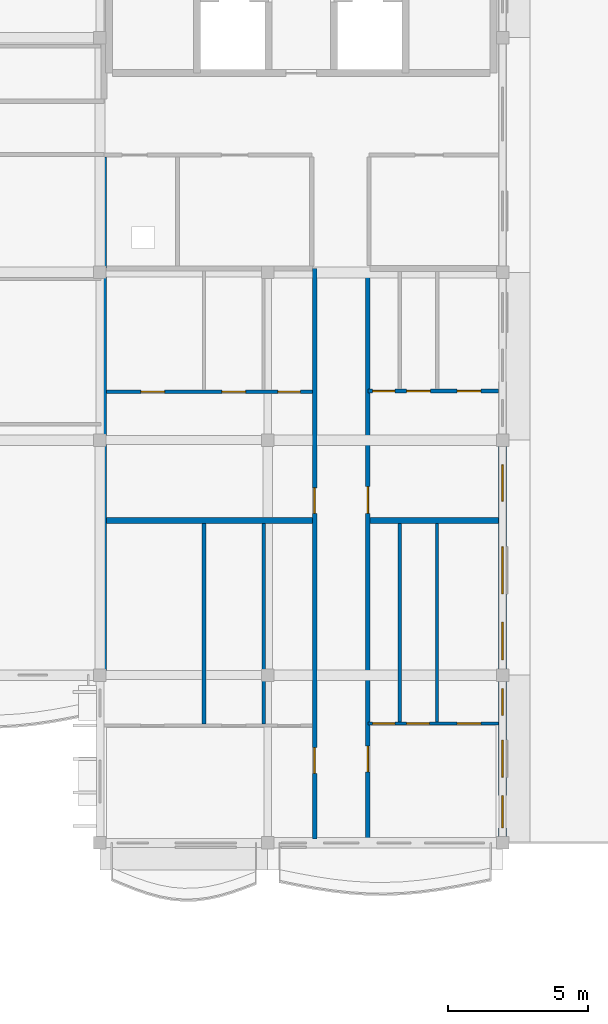
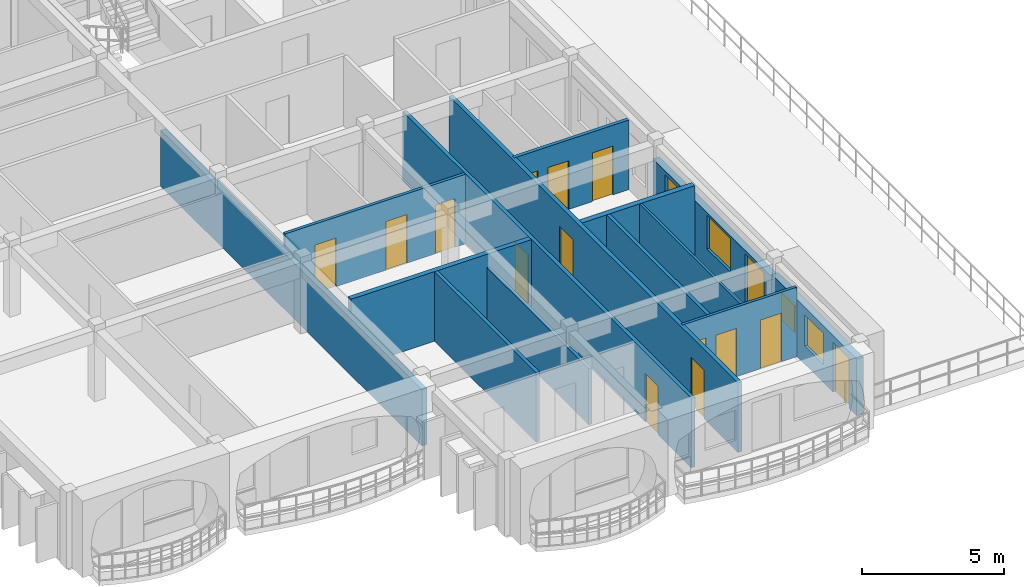
# One storey, part 30 of 66: 15 doors, 14 walls, 4 windows, 19 openings.
"""IFC4 building model written with IfcOpenShell, lengths in metres."""

from ifc_helpers import new_model, si_unit, direction, frame, frame_2d, origin, place, context, subcontext, project, spatial, rectangle, extrude, material, layer, layer_set, type_object, element, fill, save


model = new_model("IFC4")

# Units and contexts
model_context = context("Model", 3, precision=1e-05, world=origin(), true_north=direction((0.0, 1.0)))
body_context = subcontext(model_context, "Body", "Model", "MODEL_VIEW")
ifc_project = project(units=[si_unit("LENGTHUNIT", "METRE"), si_unit("AREAUNIT", "SQUARE_METRE"), si_unit("VOLUMEUNIT", "CUBIC_METRE"), si_unit("PLANEANGLEUNIT", "RADIAN"), si_unit("MASSUNIT", "GRAM", prefix="KILO"), si_unit("THERMODYNAMICTEMPERATUREUNIT", "KELVIN")], contexts=[model_context])

# Site, building, storey
site_placement = place(None, origin())
site = spatial("IfcSite", under=ifc_project, at=site_placement, CompositionType="ELEMENT")
building_placement = place(site_placement, origin())
building = spatial("IfcBuilding", under=site, at=building_placement, Name="Thalorik Housing Commons", CompositionType="ELEMENT")
storey_placement = place(building_placement, frame((0.0, 0.0, 21.300048828125)))
storey = spatial("IfcBuildingStorey", under=building, at=storey_placement, Name="L06", CompositionType="ELEMENT", Elevation=21.300048828125)

# Wall, openings, doors
ifc_material_1 = material(Name="Masonry fire-rated corridor wall", Category="masonry")
ifc_layer_1 = layer(ifc_material_1, 0.14990234375, Name="Masonry fire-rated corridor wall", Category="masonry")
ifc_layer_set_1 = layer_set([ifc_layer_1], Name="Masonry fire-rated corridor wall")
wall_type_1 = type_object("IfcWallType", Name="ARC-WAL-CORR-150", PredefinedType="PARTITIONING", material=ifc_layer_set_1)
wall_1_placement = place(storey_placement, frame((160.080078125, 37.339599609375, 0.0), z_axis=(0.0, 0.0, 1.0), x_axis=(0.0, 1.0, 0.0)))
wall_1 = element("IfcWall", 1, at=wall_1_placement, inside=storey, type_object=wall_type_1, Name="L06 Block D E Corridor Wall 1", PredefinedType="PARTITIONING", context=body_context, shape_type="SweptSolid", body=[
    extrude(rectangle(XDim=20.400390625, YDim=0.14990234375, at=frame_2d((10.2001953125, 0.0))), origin(), (0.0, 0.0, 1.0), 3.0),
])
opening_1_placement = place(wall_1_placement, frame((2.343994140625, 0.0, 0.0)))
opening_1 = element("IfcOpeningElement", 2, at=opening_1_placement, cuts=wall_1, Name="Opening ID-2112", PredefinedType="OPENING", context=body_context, shape_type="SweptSolid", body=[
    extrude(rectangle(XDim=0.919921875, YDim=2.10009765625, at=frame_2d((0.4599609375, 1.050048828125))), frame((0.0, 0.0849609375, 0.0), z_axis=(0.0, -1.0, 0.0), x_axis=(1.0, 0.0, 0.0)), (0.0, 0.0, 1.0), 0.169921875),
])
opening_2_placement = place(wall_1_placement, frame((11.640380859375, 0.0, 0.0)))
opening_2 = element("IfcOpeningElement", 3, at=opening_2_placement, cuts=wall_1, Name="Opening ID-2113", PredefinedType="OPENING", context=body_context, shape_type="SweptSolid", body=[
    extrude(rectangle(XDim=0.919921875, YDim=2.10009765625, at=frame_2d((0.4599609375, 1.050048828125))), frame((0.0, 0.0849609375, 0.0), z_axis=(0.0, -1.0, 0.0), x_axis=(1.0, 0.0, 0.0)), (0.0, 0.0, 1.0), 0.169921875),
])
ifc_material_2 = material(Name="Solid core hardwood timber", Category="wood")
door_type_1 = type_object("IfcDoorType", Name="ARC-DR-FD30-920", OperationType="NOTDEFINED", PredefinedType="DOOR", material=ifc_material_2)
door_1_placement = place(opening_1_placement, origin())
door_1 = element("IfcDoor", 4, at=door_1_placement, inside=storey, type_object=door_type_1, Name="L06 Flat DE-1A Entrance Door", OperationType="SINGLE_SWING_LEFT", OverallHeight=2.10009765625, OverallWidth=0.919921875, PredefinedType="DOOR", context=body_context, shape_type="SweptSolid", body=[
    extrude(rectangle(XDim=0.919921875, YDim=2.10009765625, at=frame_2d((0.4599609375, 1.050048828125))), frame((0.0, 0.02490234375, 0.0), z_axis=(0.0, -1.0, 0.0), x_axis=(1.0, 0.0, 0.0)), (0.0, 0.0, 1.0), 0.050048828125),
])
fill(opening_1, door_1)
door_2_placement = place(opening_2_placement, origin())
door_2 = element("IfcDoor", 5, at=door_2_placement, inside=storey, type_object=door_type_1, Name="L06 Flat DE-2A Entrance Door", OperationType="SINGLE_SWING_RIGHT", OverallHeight=2.10009765625, OverallWidth=0.919921875, PredefinedType="DOOR", context=body_context, shape_type="SweptSolid", body=[
    extrude(rectangle(XDim=0.919921875, YDim=2.10009765625, at=frame_2d((0.4599609375, 1.050048828125))), frame((0.0, 0.02490234375, 0.0), z_axis=(0.0, -1.0, 0.0), x_axis=(1.0, 0.0, 0.0)), (0.0, 0.0, 1.0), 0.050048828125),
])
fill(opening_2, door_2)

ifc_layer_2 = layer(ifc_material_1, 0.1650390625, Name="Masonry fire-rated corridor wall", Category="masonry")
ifc_layer_set_2 = layer_set([ifc_layer_2], Name="Masonry fire-rated corridor wall")
wall_type_2 = type_object("IfcWallType", Name="ARC-WAL-CORR-165", PredefinedType="PARTITIONING", material=ifc_layer_set_2)
wall_2_placement = place(storey_placement, frame((161.97998046875, 37.339599609375, 0.0), z_axis=(0.0, 0.0, 1.0), x_axis=(0.0, 1.0, 0.0)))
wall_2 = element("IfcWall", 6, at=wall_2_placement, inside=storey, type_object=wall_type_2, Name="L06 Block D E Corridor Wall 2", PredefinedType="PARTITIONING", context=body_context, shape_type="SweptSolid", body=[
    extrude(rectangle(XDim=20.400390625, YDim=0.1650390625, at=frame_2d((10.2001953125, 0.0))), origin(), (0.0, 0.0, 1.0), 3.0),
])
opening_3_placement = place(wall_2_placement, frame((2.4013671875, 0.0, 0.0)))
opening_3 = element("IfcOpeningElement", 7, at=opening_3_placement, cuts=wall_2, Name="Opening ID-2114", PredefinedType="OPENING", context=body_context, shape_type="SweptSolid", body=[
    extrude(rectangle(XDim=0.919921875, YDim=2.10009765625, at=frame_2d((0.4599609375, 1.050048828125))), frame((0.0, 0.092529296875, 0.0), z_axis=(0.0, -1.0, 0.0), x_axis=(1.0, 0.0, 0.0)), (0.0, 0.0, 1.0), 0.18505859375),
])
opening_4_placement = place(wall_2_placement, frame((11.640380859375, 0.0, 0.0)))
opening_4 = element("IfcOpeningElement", 8, at=opening_4_placement, cuts=wall_2, Name="Opening ID-2115", PredefinedType="OPENING", context=body_context, shape_type="SweptSolid", body=[
    extrude(rectangle(XDim=0.9599609375, YDim=2.1201171875, at=frame_2d((0.47998046875, 1.06005859375))), frame((0.0, 0.092529296875, 0.0), z_axis=(0.0, -1.0, 0.0), x_axis=(1.0, 0.0, 0.0)), (0.0, 0.0, 1.0), 0.18505859375),
])
door_3_placement = place(opening_3_placement, origin())
door_3 = element("IfcDoor", 9, at=door_3_placement, inside=storey, type_object=door_type_1, Name="L06 Flat DE-1B Entrance Door", OperationType="SINGLE_SWING_LEFT", OverallHeight=2.10009765625, OverallWidth=0.919921875, PredefinedType="DOOR", context=body_context, shape_type="SweptSolid", body=[
    extrude(rectangle(XDim=0.919921875, YDim=2.10009765625, at=frame_2d((0.4599609375, 1.050048828125))), frame((0.0, 0.02490234375, 0.0), z_axis=(0.0, -1.0, 0.0), x_axis=(1.0, 0.0, 0.0)), (0.0, 0.0, 1.0), 0.050048828125),
])
fill(opening_3, door_3)
door_type_2 = type_object("IfcDoorType", Name="ARC-DR-FD30-960", OperationType="NOTDEFINED", PredefinedType="DOOR", material=ifc_material_2)
door_4_placement = place(opening_4_placement, origin())
door_4 = element("IfcDoor", 10, at=door_4_placement, inside=storey, type_object=door_type_2, Name="L06 Flat DE-2B Entrance Door", OperationType="SINGLE_SWING_RIGHT", OverallHeight=2.1201171875, OverallWidth=0.9599609375, PredefinedType="DOOR", context=body_context, shape_type="SweptSolid", body=[
    extrude(rectangle(XDim=0.9599609375, YDim=2.1201171875, at=frame_2d((0.47998046875, 1.06005859375))), frame((0.0, 0.02490234375, 0.0), z_axis=(0.0, -1.0, 0.0), x_axis=(1.0, 0.0, 0.0)), (0.0, 0.0, 1.0), 0.050048828125),
])
fill(opening_4, door_4)

# Wall, openings, door, windows
ifc_material_3 = material(Name="White precast concrete C40/50", Category="concrete")
ifc_layer_3 = layer(ifc_material_3, 0.27490234375, Name="White precast concrete C40/50", Category="concrete")
ifc_layer_set_3 = layer_set([ifc_layer_3], Name="White precast concrete C40/50")
wall_type_3 = type_object("IfcWallType", Name="ARC-WAL-EXT-275", PredefinedType="STANDARD", material=ifc_layer_set_3)
wall_3_placement = place(storey_placement, frame((166.800048828125, 37.199951171875, 0.0), z_axis=(0.0, 0.0, 1.0), x_axis=(0.0, 1.0, 0.0)))
wall_3 = element("IfcWall", 11, at=wall_3_placement, inside=storey, type_object=wall_type_3, Name="L06 Exterior Wall WAL-EXT-L06-D-1236", PredefinedType="STANDARD", context=body_context, shape_type="SweptSolid", body=[
    extrude(rectangle(XDim=6.0, YDim=0.27490234375, at=frame_2d((3.0, 0.0))), origin(), (0.0, 0.0, 1.0), 2.445068359375),
])
opening_5_placement = place(wall_3_placement, frame((0.5400390625, 0.0, 0.0)))
opening_5 = element("IfcOpeningElement", 12, at=opening_5_placement, cuts=wall_3, Name="Opening ED-0420", PredefinedType="OPENING", context=body_context, shape_type="SweptSolid", body=[
    extrude(rectangle(XDim=1.14990234375, YDim=2.14990234375, at=frame_2d((0.574951171875, 1.074951171875))), frame((0.0, 0.1474609375, 0.0), z_axis=(0.0, -1.0, 0.0), x_axis=(1.0, 0.0, 0.0)), (0.0, 0.0, 1.0), 0.294921875),
])
opening_6_placement = place(wall_3_placement, frame((2.352783203125, 0.0, 0.780029296875)))
opening_6 = element("IfcOpeningElement", 13, at=opening_6_placement, cuts=wall_3, Name="Opening W-48", PredefinedType="OPENING", context=body_context, shape_type="SweptSolid", body=[
    extrude(rectangle(XDim=1.320068359375, YDim=1.35009765625, at=frame_2d((0.66015625, 0.675048828125))), frame((0.0, 0.1474609375, 0.0), z_axis=(0.0, -1.0, 0.0), x_axis=(1.0, 0.0, 0.0)), (0.0, 0.0, 1.0), 0.294921875),
])
opening_7_placement = place(wall_3_placement, frame((4.562744140625, 0.0, 0.780029296875)))
opening_7 = element("IfcOpeningElement", 14, at=opening_7_placement, cuts=wall_3, Name="Opening W-43", PredefinedType="OPENING", context=body_context, shape_type="SweptSolid", body=[
    extrude(rectangle(XDim=0.949951171875, YDim=1.14990234375, at=frame_2d((0.47509765625, 0.574951171875))), frame((0.0, 0.1474609375, 0.0), z_axis=(0.0, -1.0, 0.0), x_axis=(1.0, 0.0, 0.0)), (0.0, 0.0, 1.0), 0.294921875),
])
ifc_material_4 = material(Name="Anodised aluminium and laminated safety glass", Category="aluminium")
door_type_3 = type_object("IfcDoorType", Name="ARC-DR-TERR-1150", OperationType="NOTDEFINED", PredefinedType="DOOR", material=ifc_material_4)
door_5_placement = place(opening_5_placement, frame((1.14990234375, 0.0, 0.0), z_axis=(0.0, 0.0, 1.0), x_axis=(-1.0, 0.0, 0.0)))
door_5 = element("IfcDoor", 15, at=door_5_placement, inside=storey, type_object=door_type_3, Name="L06 Block D L06 East Roof Terrace Access Door", OperationType="SINGLE_SWING_LEFT", OverallHeight=2.14990234375, OverallWidth=1.14990234375, PredefinedType="DOOR", context=body_context, shape_type="SweptSolid", body=[
    extrude(rectangle(XDim=1.14990234375, YDim=2.14990234375, at=frame_2d((0.574951171875, 1.074951171875))), frame((0.0, 0.02490234375, 0.0), z_axis=(0.0, -1.0, 0.0), x_axis=(1.0, 0.0, 0.0)), (0.0, 0.0, 1.0), 0.050048828125),
])
fill(opening_5, door_5)
ifc_material_5 = material(Name="Anodised aluminium and solar-control low-E glass", Category="aluminium")
window_type_1 = type_object("IfcWindowType", Name="ARC-WIN-43", PartitioningType="SINGLE_PANEL", PredefinedType="WINDOW", material=ifc_material_5)
window_1_placement = place(opening_7_placement, origin())
window_1 = element("IfcWindow", 16, at=window_1_placement, inside=storey, type_object=window_type_1, Name="L06 Facade Window 2257", OverallHeight=1.14990234375, OverallWidth=0.949951171875, PartitioningType="SINGLE_PANEL", PredefinedType="WINDOW", context=body_context, shape_type="SweptSolid", body=[
    extrude(rectangle(XDim=0.949951171875, YDim=1.14990234375, at=frame_2d((0.47509765625, 0.574951171875))), frame((0.0, 0.030029296875, 0.0), z_axis=(0.0, -1.0, 0.0), x_axis=(1.0, 0.0, 0.0)), (0.0, 0.0, 1.0), 0.06005859375),
])
fill(opening_7, window_1)
window_type_2 = type_object("IfcWindowType", Name="ARC-WIN-48", PartitioningType="SINGLE_PANEL", PredefinedType="WINDOW", material=ifc_material_5)
window_2_placement = place(opening_6_placement, origin())
window_2 = element("IfcWindow", 17, at=window_2_placement, inside=storey, type_object=window_type_2, Name="L06 Facade Window 2256", OverallHeight=1.35009765625, OverallWidth=1.320068359375, PartitioningType="SINGLE_PANEL", PredefinedType="WINDOW", context=body_context, shape_type="SweptSolid", body=[
    extrude(rectangle(XDim=1.320068359375, YDim=1.35009765625, at=frame_2d((0.66015625, 0.675048828125))), frame((0.0, 0.030029296875, 0.0), z_axis=(0.0, -1.0, 0.0), x_axis=(1.0, 0.0, 0.0)), (0.0, 0.0, 1.0), 0.06005859375),
])
fill(opening_6, window_2)

wall_4_placement = place(storey_placement, frame((166.800048828125, 43.199951171875, 0.0), z_axis=(0.0, 0.0, 1.0), x_axis=(0.0, 1.0, 0.0)))
wall_4 = element("IfcWall", 18, at=wall_4_placement, inside=storey, type_object=wall_type_3, Name="L06 Exterior Wall WAL-EXT-L06-D-1237", PredefinedType="STANDARD", context=body_context, shape_type="SweptSolid", body=[
    extrude(rectangle(XDim=8.400146484375, YDim=0.27490234375, at=frame_2d((4.2001953125, 0.0))), origin(), (0.0, 0.0, 1.0), 2.344970703125),
])
opening_8_placement = place(wall_4_placement, frame((0.5400390625, 0.0, 0.0)))
opening_8 = element("IfcOpeningElement", 19, at=opening_8_placement, cuts=wall_4, Name="Opening ED-0421", PredefinedType="OPENING", context=body_context, shape_type="SweptSolid", body=[
    extrude(rectangle(XDim=1.35009765625, YDim=2.199951171875, at=frame_2d((0.675048828125, 1.10009765625))), frame((0.0, 0.1474609375, 0.0), z_axis=(0.0, -1.0, 0.0), x_axis=(1.0, 0.0, 0.0)), (0.0, 0.0, 1.0), 0.294921875),
])
opening_9_placement = place(wall_4_placement, frame((2.905029296875, 0.0, 0.780029296875)))
opening_9 = element("IfcOpeningElement", 20, at=opening_9_placement, cuts=wall_4, Name="Opening W-55", PredefinedType="OPENING", context=body_context, shape_type="SweptSolid", body=[
    extrude(rectangle(XDim=1.679931640625, YDim=1.4599609375, at=frame_2d((0.83984375, 0.72998046875))), frame((0.0, 0.1474609375, 0.0), z_axis=(0.0, -1.0, 0.0), x_axis=(1.0, 0.0, 0.0)), (0.0, 0.0, 1.0), 0.294921875),
])
opening_10_placement = place(wall_4_placement, frame((6.219970703125, 0.0, 0.780029296875)))
opening_10 = element("IfcOpeningElement", 21, at=opening_10_placement, cuts=wall_4, Name="Opening W-06", PredefinedType="OPENING", context=body_context, shape_type="SweptSolid", body=[
    extrude(rectangle(XDim=1.300048828125, YDim=1.39990234375, at=frame_2d((0.64990234375, 0.699951171875))), frame((0.0, 0.1474609375, 0.0), z_axis=(0.0, -1.0, 0.0), x_axis=(1.0, 0.0, 0.0)), (0.0, 0.0, 1.0), 0.294921875),
])
door_type_4 = type_object("IfcDoorType", Name="ARC-DR-TERR-1350", OperationType="NOTDEFINED", PredefinedType="DOOR", material=ifc_material_4)
door_6_placement = place(opening_8_placement, frame((1.35009765625, 0.0, 0.0), z_axis=(0.0, 0.0, 1.0), x_axis=(-1.0, 0.0, 0.0)))
door_6 = element("IfcDoor", 22, at=door_6_placement, inside=storey, type_object=door_type_4, Name="L06 Block D L06 East Roof Terrace Access Door", OperationType="SINGLE_SWING_RIGHT", OverallHeight=2.199951171875, OverallWidth=1.35009765625, PredefinedType="DOOR", context=body_context, shape_type="SweptSolid", body=[
    extrude(rectangle(XDim=1.35009765625, YDim=2.199951171875, at=frame_2d((0.675048828125, 1.10009765625))), frame((0.0, 0.02490234375, 0.0), z_axis=(0.0, -1.0, 0.0), x_axis=(1.0, 0.0, 0.0)), (0.0, 0.0, 1.0), 0.050048828125),
])
fill(opening_8, door_6)
window_type_3 = type_object("IfcWindowType", Name="ARC-WIN-06", PartitioningType="SINGLE_PANEL", PredefinedType="WINDOW", material=ifc_material_5)
window_3_placement = place(opening_10_placement, origin())
window_3 = element("IfcWindow", 23, at=window_3_placement, inside=storey, type_object=window_type_3, Name="L06 Facade Window 2259", OverallHeight=1.39990234375, OverallWidth=1.300048828125, PartitioningType="SINGLE_PANEL", PredefinedType="WINDOW", context=body_context, shape_type="SweptSolid", body=[
    extrude(rectangle(XDim=1.300048828125, YDim=1.39990234375, at=frame_2d((0.64990234375, 0.699951171875))), frame((0.0, 0.030029296875, 0.0), z_axis=(0.0, -1.0, 0.0), x_axis=(1.0, 0.0, 0.0)), (0.0, 0.0, 1.0), 0.06005859375),
])
fill(opening_10, window_3)
window_type_4 = type_object("IfcWindowType", Name="ARC-WIN-55", PartitioningType="DOUBLE_PANEL_VERTICAL", PredefinedType="WINDOW", material=ifc_material_5)
window_4_placement = place(opening_9_placement, origin())
window_4 = element("IfcWindow", 24, at=window_4_placement, inside=storey, type_object=window_type_4, Name="L06 Facade Window 2258", OverallHeight=1.4599609375, OverallWidth=1.679931640625, PartitioningType="DOUBLE_PANEL_VERTICAL", PredefinedType="WINDOW", context=body_context, shape_type="SweptSolid", body=[
    extrude(rectangle(XDim=1.679931640625, YDim=1.4599609375, at=frame_2d((0.83984375, 0.72998046875))), frame((0.0, 0.030029296875, 0.0), z_axis=(0.0, -1.0, 0.0), x_axis=(1.0, 0.0, 0.0)), (0.0, 0.0, 1.0), 0.06005859375),
])
fill(opening_9, window_4)

# Wall
ifc_material_6 = material(Name="Gypsum light stud partition", Category="masonry")
ifc_layer_4 = layer(ifc_material_6, 0.10009765625, Name="Gypsum light stud partition", Category="masonry")
ifc_layer_set_4 = layer_set([ifc_layer_4], Name="Gypsum light stud partition")
wall_type_4 = type_object("IfcWallType", Name="ARC-WAL-PART-100", PredefinedType="PARTITIONING", material=ifc_layer_set_4)
wall_5_placement = place(storey_placement, frame((164.455078125, 41.525146484375, 0.0), z_axis=(0.0, 0.0, 1.0), x_axis=(0.0, 1.0, 0.0)))
element("IfcWall", 25, at=wall_5_placement, inside=storey, type_object=wall_type_4, Name="L06 Unit 1B Bedroom Partition", PredefinedType="PARTITIONING", context=body_context, shape_type="SweptSolid", body=[
    extrude(rectangle(XDim=7.0927734375, YDim=0.10009765625, at=frame_2d((3.54638671875, 0.0))), origin(), (0.0, 0.0, 1.0), 3.0),
])

# Wall, openings, doors
ifc_material_7 = material(Name="Gypsum moisture-resistant partition", Category="masonry")
ifc_layer_5 = layer(ifc_material_7, 0.114990234375, Name="Gypsum moisture-resistant partition", Category="masonry")
ifc_layer_set_5 = layer_set([ifc_layer_5], Name="Gypsum moisture-resistant partition")
wall_type_5 = type_object("IfcWallType", Name="ARC-WAL-PART-115", PredefinedType="PARTITIONING", material=ifc_layer_set_5)
wall_6_placement = place(storey_placement, frame((161.97998046875, 41.465576171875, 0.0), z_axis=(0.0, 0.0, 1.0), x_axis=(1.0, 0.0, 0.0)))
wall_6 = element("IfcWall", 26, at=wall_6_placement, inside=storey, type_object=wall_type_5, Name="L06 Unit 1B Spine Partition", PredefinedType="PARTITIONING", context=body_context, shape_type="SweptSolid", body=[
    extrude(rectangle(XDim=4.680419921875, YDim=0.114990234375, at=frame_2d((2.34033203125, 0.0))), origin(), (0.0, 0.0, 1.0), 3.0),
])
opening_11_placement = place(wall_6_placement, frame((0.171142578125, 0.0, 0.0)))
opening_11 = element("IfcOpeningElement", 27, at=opening_11_placement, cuts=wall_6, Name="Opening ID-2103", PredefinedType="OPENING", context=body_context, shape_type="SweptSolid", body=[
    extrude(rectangle(XDim=0.800048828125, YDim=2.10009765625, at=frame_2d((0.39990234375, 1.050048828125))), frame((0.0, 0.0673828125, 0.0), z_axis=(0.0, -1.0, 0.0), x_axis=(1.0, 0.0, 0.0)), (0.0, 0.0, 1.0), 0.135009765625),
])
opening_12_placement = place(wall_6_placement, frame((1.3837890625, 0.0, 0.0)))
opening_12 = element("IfcOpeningElement", 28, at=opening_12_placement, cuts=wall_6, Name="Opening ID-2104", PredefinedType="OPENING", context=body_context, shape_type="SweptSolid", body=[
    extrude(rectangle(XDim=0.820068359375, YDim=2.080078125, at=frame_2d((0.41015625, 1.0400390625))), frame((0.0, 0.0673828125, 0.0), z_axis=(0.0, -1.0, 0.0), x_axis=(1.0, 0.0, 0.0)), (0.0, 0.0, 1.0), 0.135009765625),
])
opening_13_placement = place(wall_6_placement, frame((3.192626953125, 0.0, 0.0)))
opening_13 = element("IfcOpeningElement", 29, at=opening_13_placement, cuts=wall_6, Name="Opening ID-2105", PredefinedType="OPENING", context=body_context, shape_type="SweptSolid", body=[
    extrude(rectangle(XDim=0.85009765625, YDim=2.10009765625, at=frame_2d((0.425048828125, 1.050048828125))), frame((0.0, 0.0673828125, 0.0), z_axis=(0.0, -1.0, 0.0), x_axis=(1.0, 0.0, 0.0)), (0.0, 0.0, 1.0), 0.135009765625),
])
ifc_material_8 = material(Name="Moisture-resistant timber", Category="wood")
door_type_5 = type_object("IfcDoorType", Name="ARC-DR-INT-800", OperationType="NOTDEFINED", PredefinedType="DOOR", material=ifc_material_8)
door_7_placement = place(opening_11_placement, origin())
door_7 = element("IfcDoor", 30, at=door_7_placement, inside=storey, type_object=door_type_5, Name="L06 Flat Bathroom Door", OperationType="SINGLE_SWING_RIGHT", OverallHeight=2.10009765625, OverallWidth=0.800048828125, PredefinedType="DOOR", context=body_context, shape_type="SweptSolid", body=[
    extrude(rectangle(XDim=0.800048828125, YDim=2.10009765625, at=frame_2d((0.39990234375, 1.050048828125))), frame((0.0, 0.02490234375, 0.0), z_axis=(0.0, -1.0, 0.0), x_axis=(1.0, 0.0, 0.0)), (0.0, 0.0, 1.0), 0.050048828125),
])
fill(opening_11, door_7)
ifc_material_9 = material(Name="Engineered oak timber", Category="wood")
door_type_6 = type_object("IfcDoorType", Name="ARC-DR-INT-820", OperationType="NOTDEFINED", PredefinedType="DOOR", material=ifc_material_9)
door_8_placement = place(opening_12_placement, origin())
door_8 = element("IfcDoor", 31, at=door_8_placement, inside=storey, type_object=door_type_6, Name="L06 Eat-In Kitchen Door", OperationType="SINGLE_SWING_LEFT", OverallHeight=2.080078125, OverallWidth=0.820068359375, PredefinedType="DOOR", context=body_context, shape_type="SweptSolid", body=[
    extrude(rectangle(XDim=0.820068359375, YDim=2.080078125, at=frame_2d((0.41015625, 1.0400390625))), frame((0.0, 0.02490234375, 0.0), z_axis=(0.0, -1.0, 0.0), x_axis=(1.0, 0.0, 0.0)), (0.0, 0.0, 1.0), 0.050048828125),
])
fill(opening_12, door_8)
door_type_7 = type_object("IfcDoorType", Name="ARC-DR-INT-850", OperationType="NOTDEFINED", PredefinedType="DOOR", material=ifc_material_9)
door_9_placement = place(opening_13_placement, origin())
door_9 = element("IfcDoor", 32, at=door_9_placement, inside=storey, type_object=door_type_7, Name="L06 Master Bedroom Door", OperationType="SINGLE_SWING_RIGHT", OverallHeight=2.10009765625, OverallWidth=0.85009765625, PredefinedType="DOOR", context=body_context, shape_type="SweptSolid", body=[
    extrude(rectangle(XDim=0.85009765625, YDim=2.10009765625, at=frame_2d((0.425048828125, 1.050048828125))), frame((0.0, 0.02490234375, 0.0), z_axis=(0.0, -1.0, 0.0), x_axis=(1.0, 0.0, 0.0)), (0.0, 0.0, 1.0), 0.050048828125),
])
fill(opening_13, door_9)

# Wall
ifc_material_10 = material(Name="Gypsum acoustic stud partition", Category="masonry")
ifc_layer_6 = layer(ifc_material_10, 0.125, Name="Gypsum acoustic stud partition", Category="masonry")
ifc_layer_set_6 = layer_set([ifc_layer_6], Name="Gypsum acoustic stud partition")
wall_type_6 = type_object("IfcWallType", Name="ARC-WAL-PART-125", PredefinedType="PARTITIONING", material=ifc_layer_set_6)
wall_7_placement = place(storey_placement, frame((158.251220703125, 41.447021484375, 0.0), z_axis=(0.0, 0.0, 1.0), x_axis=(0.0, 1.0, 0.0)))
element("IfcWall", 33, at=wall_7_placement, inside=storey, type_object=wall_type_6, Name="L06 Unit 1 Wet Wall", PredefinedType="PARTITIONING", context=body_context, shape_type="SweptSolid", body=[
    extrude(rectangle(XDim=7.180908203125, YDim=0.125, at=frame_2d((3.59033203125, 0.0))), origin(), (0.0, 0.0, 1.0), 2.425048828125),
])

# Wall, openings, doors
wall_8_placement = place(storey_placement, frame((152.64208984375, 53.3349609375, 0.0), z_axis=(0.0, 0.0, 1.0), x_axis=(1.0, 0.0, 0.0)))
wall_8 = element("IfcWall", 34, at=wall_8_placement, inside=storey, type_object=wall_type_6, Name="L06 Unit 2 Spine Partition", PredefinedType="PARTITIONING", context=body_context, shape_type="SweptSolid", body=[
    extrude(rectangle(XDim=7.36083984375, YDim=0.125, at=frame_2d((3.680419921875, 0.0))), origin(), (0.0, 0.0, 1.0), 3.0),
])
opening_14_placement = place(wall_8_placement, frame((1.2216796875, 0.0, 0.0)))
opening_14 = element("IfcOpeningElement", 35, at=opening_14_placement, cuts=wall_8, Name="Opening ID-2106", PredefinedType="OPENING", context=body_context, shape_type="SweptSolid", body=[
    extrude(rectangle(XDim=0.85009765625, YDim=2.10009765625, at=frame_2d((0.425048828125, 1.050048828125))), frame((0.0, 0.072509765625, 0.0), z_axis=(0.0, -1.0, 0.0), x_axis=(1.0, 0.0, 0.0)), (0.0, 0.0, 1.0), 0.14501953125),
])
opening_15_placement = place(wall_8_placement, frame((4.117431640625, 0.0, 0.0)))
opening_15 = element("IfcOpeningElement", 36, at=opening_15_placement, cuts=wall_8, Name="Opening ID-2107", PredefinedType="OPENING", context=body_context, shape_type="SweptSolid", body=[
    extrude(rectangle(XDim=0.85009765625, YDim=2.10009765625, at=frame_2d((0.425048828125, 1.050048828125))), frame((0.0, 0.072509765625, 0.0), z_axis=(0.0, -1.0, 0.0), x_axis=(1.0, 0.0, 0.0)), (0.0, 0.0, 1.0), 0.14501953125),
])
opening_16_placement = place(wall_8_placement, frame((6.12353515625, 0.0, 0.0)))
opening_16 = element("IfcOpeningElement", 37, at=opening_16_placement, cuts=wall_8, Name="Opening ID-2108", PredefinedType="OPENING", context=body_context, shape_type="SweptSolid", body=[
    extrude(rectangle(XDim=0.800048828125, YDim=2.10009765625, at=frame_2d((0.39990234375, 1.050048828125))), frame((0.0, 0.072509765625, 0.0), z_axis=(0.0, -1.0, 0.0), x_axis=(1.0, 0.0, 0.0)), (0.0, 0.0, 1.0), 0.14501953125),
])
door_10_placement = place(opening_16_placement, origin())
door_10 = element("IfcDoor", 38, at=door_10_placement, inside=storey, type_object=door_type_5, Name="L06 Flat Bathroom Door", OperationType="SINGLE_SWING_LEFT", OverallHeight=2.10009765625, OverallWidth=0.800048828125, PredefinedType="DOOR", context=body_context, shape_type="SweptSolid", body=[
    extrude(rectangle(XDim=0.800048828125, YDim=2.10009765625, at=frame_2d((0.39990234375, 1.050048828125))), frame((0.0, 0.02490234375, 0.0), z_axis=(0.0, -1.0, 0.0), x_axis=(1.0, 0.0, 0.0)), (0.0, 0.0, 1.0), 0.050048828125),
])
fill(opening_16, door_10)
door_11_placement = place(opening_14_placement, origin())
door_11 = element("IfcDoor", 39, at=door_11_placement, inside=storey, type_object=door_type_7, Name="L06 Single Bedroom Door", OperationType="SINGLE_SWING_LEFT", OverallHeight=2.10009765625, OverallWidth=0.85009765625, PredefinedType="DOOR", context=body_context, shape_type="SweptSolid", body=[
    extrude(rectangle(XDim=0.85009765625, YDim=2.10009765625, at=frame_2d((0.425048828125, 1.050048828125))), frame((0.0, 0.02490234375, 0.0), z_axis=(0.0, -1.0, 0.0), x_axis=(1.0, 0.0, 0.0)), (0.0, 0.0, 1.0), 0.050048828125),
])
fill(opening_14, door_11)
door_12_placement = place(opening_15_placement, origin())
door_12 = element("IfcDoor", 40, at=door_12_placement, inside=storey, type_object=door_type_7, Name="L06 Galley Kitchen Door", OperationType="SINGLE_SWING_RIGHT", OverallHeight=2.10009765625, OverallWidth=0.85009765625, PredefinedType="DOOR", context=body_context, shape_type="SweptSolid", body=[
    extrude(rectangle(XDim=0.85009765625, YDim=2.10009765625, at=frame_2d((0.425048828125, 1.050048828125))), frame((0.0, 0.02490234375, 0.0), z_axis=(0.0, -1.0, 0.0), x_axis=(1.0, 0.0, 0.0)), (0.0, 0.0, 1.0), 0.050048828125),
])
fill(opening_15, door_12)

# Walls
ifc_material_11 = material(Name="Ceramic masonry partition wall", Category="masonry")
ifc_layer_7 = layer(ifc_material_11, 0.139892578125, Name="Ceramic masonry partition wall", Category="masonry")
ifc_layer_set_7 = layer_set([ifc_layer_7], Name="Ceramic masonry partition wall")
wall_type_7 = type_object("IfcWallType", Name="ARC-WAL-PART-140", PredefinedType="PARTITIONING", material=ifc_layer_set_7)
wall_9_placement = place(storey_placement, frame((156.11767578125, 41.447021484375, 0.0), z_axis=(0.0, 0.0, 1.0), x_axis=(0.0, 1.0, 0.0)))
element("IfcWall", 41, at=wall_9_placement, inside=storey, type_object=wall_type_7, Name="L06 Unit 1 Bedroom Partition", PredefinedType="PARTITIONING", context=body_context, shape_type="SweptSolid", body=[
    extrude(rectangle(XDim=7.180908203125, YDim=0.139892578125, at=frame_2d((3.59033203125, 0.0))), origin(), (0.0, 0.0, 1.0), 3.0),
])
wall_10_placement = place(storey_placement, frame((163.122314453125, 41.525146484375, 0.0), z_axis=(0.0, 0.0, 1.0), x_axis=(0.0, 1.0, 0.0)))
element("IfcWall", 42, at=wall_10_placement, inside=storey, type_object=wall_type_7, Name="L06 Unit 1B Wet Wall", PredefinedType="PARTITIONING", context=body_context, shape_type="SweptSolid", body=[
    extrude(rectangle(XDim=7.0927734375, YDim=0.139892578125, at=frame_2d((3.54638671875, 0.0))), origin(), (0.0, 0.0, 1.0), 3.0),
])

# Wall, openings, doors
wall_11_placement = place(storey_placement, frame((161.97998046875, 53.354736328125, 0.0), z_axis=(0.0, 0.0, 1.0), x_axis=(1.0, 0.0, 0.0)))
wall_11 = element("IfcWall", 43, at=wall_11_placement, inside=storey, type_object=wall_type_7, Name="L06 Unit 2B Spine Partition", PredefinedType="PARTITIONING", context=body_context, shape_type="SweptSolid", body=[
    extrude(rectangle(XDim=4.680419921875, YDim=0.139892578125, at=frame_2d((2.34033203125, 0.0))), origin(), (0.0, 0.0, 1.0), 3.0),
])
opening_17_placement = place(wall_11_placement, frame((0.171142578125, 0.0, 0.0)))
opening_17 = element("IfcOpeningElement", 44, at=opening_17_placement, cuts=wall_11, Name="Opening ID-2109", PredefinedType="OPENING", context=body_context, shape_type="SweptSolid", body=[
    extrude(rectangle(XDim=0.800048828125, YDim=2.10009765625, at=frame_2d((0.39990234375, 1.050048828125))), frame((0.0, 0.080078125, 0.0), z_axis=(0.0, -1.0, 0.0), x_axis=(1.0, 0.0, 0.0)), (0.0, 0.0, 1.0), 0.159912109375),
])
opening_18_placement = place(wall_11_placement, frame((1.3837890625, 0.0, 0.0)))
opening_18 = element("IfcOpeningElement", 45, at=opening_18_placement, cuts=wall_11, Name="Opening ID-2110", PredefinedType="OPENING", context=body_context, shape_type="SweptSolid", body=[
    extrude(rectangle(XDim=0.85009765625, YDim=2.10009765625, at=frame_2d((0.425048828125, 1.050048828125))), frame((0.0, 0.080078125, 0.0), z_axis=(0.0, -1.0, 0.0), x_axis=(1.0, 0.0, 0.0)), (0.0, 0.0, 1.0), 0.159912109375),
])
opening_19_placement = place(wall_11_placement, frame((3.192626953125, 0.0, 0.0)))
opening_19 = element("IfcOpeningElement", 46, at=opening_19_placement, cuts=wall_11, Name="Opening ID-2111", PredefinedType="OPENING", context=body_context, shape_type="SweptSolid", body=[
    extrude(rectangle(XDim=0.85009765625, YDim=2.10009765625, at=frame_2d((0.425048828125, 1.050048828125))), frame((0.0, 0.080078125, 0.0), z_axis=(0.0, -1.0, 0.0), x_axis=(1.0, 0.0, 0.0)), (0.0, 0.0, 1.0), 0.159912109375),
])
door_13_placement = place(opening_17_placement, origin())
door_13 = element("IfcDoor", 47, at=door_13_placement, inside=storey, type_object=door_type_5, Name="L06 Flat Bathroom Door", OperationType="SINGLE_SWING_RIGHT", OverallHeight=2.10009765625, OverallWidth=0.800048828125, PredefinedType="DOOR", context=body_context, shape_type="SweptSolid", body=[
    extrude(rectangle(XDim=0.800048828125, YDim=2.10009765625, at=frame_2d((0.39990234375, 1.050048828125))), frame((0.0, 0.02490234375, 0.0), z_axis=(0.0, -1.0, 0.0), x_axis=(1.0, 0.0, 0.0)), (0.0, 0.0, 1.0), 0.050048828125),
])
fill(opening_17, door_13)
door_14_placement = place(opening_18_placement, origin())
door_14 = element("IfcDoor", 48, at=door_14_placement, inside=storey, type_object=door_type_7, Name="L06 Galley Kitchen Door", OperationType="SINGLE_SWING_LEFT", OverallHeight=2.10009765625, OverallWidth=0.85009765625, PredefinedType="DOOR", context=body_context, shape_type="SweptSolid", body=[
    extrude(rectangle(XDim=0.85009765625, YDim=2.10009765625, at=frame_2d((0.425048828125, 1.050048828125))), frame((0.0, 0.02490234375, 0.0), z_axis=(0.0, -1.0, 0.0), x_axis=(1.0, 0.0, 0.0)), (0.0, 0.0, 1.0), 0.050048828125),
])
fill(opening_18, door_14)
door_15_placement = place(opening_19_placement, origin())
door_15 = element("IfcDoor", 49, at=door_15_placement, inside=storey, type_object=door_type_7, Name="L06 Double Bedroom Door", OperationType="SINGLE_SWING_RIGHT", OverallHeight=2.10009765625, OverallWidth=0.85009765625, PredefinedType="DOOR", context=body_context, shape_type="SweptSolid", body=[
    extrude(rectangle(XDim=0.85009765625, YDim=2.10009765625, at=frame_2d((0.425048828125, 1.050048828125))), frame((0.0, 0.02490234375, 0.0), z_axis=(0.0, -1.0, 0.0), x_axis=(1.0, 0.0, 0.0)), (0.0, 0.0, 1.0), 0.050048828125),
])
fill(opening_19, door_15)

# Walls
ifc_material_12 = material(Name="Precast concrete C40/50 acoustic wall", Category="concrete")
ifc_layer_8 = layer(ifc_material_12, 0.199951171875, Name="Precast concrete C40/50 acoustic wall", Category="concrete")
ifc_layer_set_8 = layer_set([ifc_layer_8], Name="Precast concrete C40/50 acoustic wall")
wall_type_8 = type_object("IfcWallType", Name="ARC-WAL-PARTY-200", PredefinedType="PARTITIONING", material=ifc_layer_set_8)
wall_12_placement = place(storey_placement, frame((152.64208984375, 48.72998046875, 0.0), z_axis=(0.0, 0.0, 1.0), x_axis=(1.0, 0.0, 0.0)))
element("IfcWall", 50, at=wall_12_placement, inside=storey, type_object=wall_type_8, Name="L06 Inter-Tenancy Wall 1A", PredefinedType="PARTITIONING", context=body_context, shape_type="SweptSolid", body=[
    extrude(rectangle(XDim=7.36083984375, YDim=0.199951171875, at=frame_2d((3.680419921875, 0.0))), origin(), (0.0, 0.0, 1.0), 3.0),
])
wall_13_placement = place(storey_placement, frame((152.5400390625, 43.260009765625, 0.0), z_axis=(0.0, 0.0, 1.0), x_axis=(0.0, 1.0, 0.0)))
element("IfcWall", 51, at=wall_13_placement, inside=storey, type_object=wall_type_8, Name="L06 Core End Wall A", PredefinedType="PARTITIONING", context=body_context, shape_type="SweptSolid", body=[
    extrude(rectangle(XDim=18.464111328125, YDim=0.199951171875, at=frame_2d((9.23193359375, 0.0))), origin(), (0.0, 0.0, 1.0), 2.425048828125),
])
ifc_layer_9 = layer(ifc_material_12, 0.219970703125, Name="Precast concrete C40/50 acoustic wall", Category="concrete")
ifc_layer_set_9 = layer_set([ifc_layer_9], Name="Precast concrete C40/50 acoustic wall")
wall_type_9 = type_object("IfcWallType", Name="ARC-WAL-PARTY-220", PredefinedType="PARTITIONING", material=ifc_layer_set_9)
wall_14_placement = place(storey_placement, frame((162.064453125, 48.72998046875, 0.0), z_axis=(0.0, 0.0, 1.0), x_axis=(1.0, 0.0, 0.0)))
element("IfcWall", 52, at=wall_14_placement, inside=storey, type_object=wall_type_9, Name="L06 Inter-Tenancy Wall 1B", PredefinedType="PARTITIONING", context=body_context, shape_type="SweptSolid", body=[
    extrude(rectangle(XDim=4.595947265625, YDim=0.219970703125, at=frame_2d((2.2978515625, 0.0))), origin(), (0.0, 0.0, 1.0), 3.0),
])

save(model, "model.ifc")
